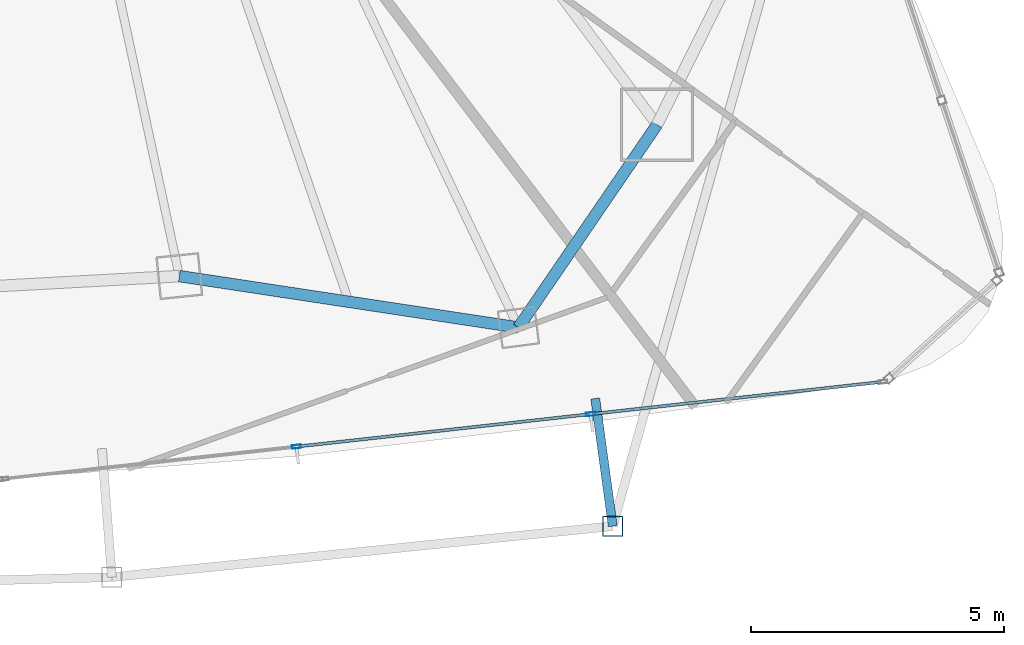
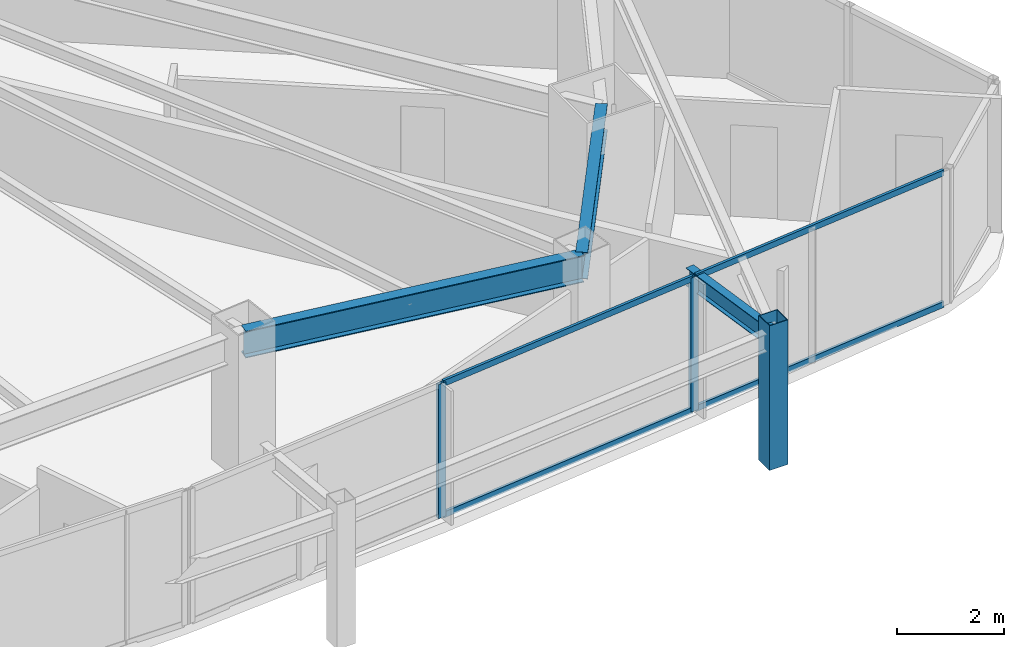
# One storey, part 12 of 30: 7 members, 3 beams, 1 element without a shape of its own.
"""IFC4 building model written with IfcOpenShell, lengths in metres."""

from ifc_helpers import new_model, si_unit, direction, frame, origin, origin_2d, place, context, subcontext, project, spatial, hollow_rectangle, i_section, extrude, material, layer, layer_set, material_profile, profile_set, type_object, element, aggregate, save


model = new_model("IFC4")

# Units and contexts
model_context = context("Model", 3, precision=1e-05, world=origin(), true_north=direction((0.0, 1.0)))
body_context = subcontext(model_context, "Body", "Model", "MODEL_VIEW")
ifc_project = project(units=[si_unit("LENGTHUNIT", "METRE"), si_unit("AREAUNIT", "SQUARE_METRE"), si_unit("VOLUMEUNIT", "CUBIC_METRE"), si_unit("PLANEANGLEUNIT", "RADIAN"), si_unit("MASSUNIT", "GRAM", prefix="KILO")], contexts=[model_context])

# Site, building, storey
site_placement = place(None, origin())
site = spatial("IfcSite", under=ifc_project, at=site_placement, CompositionType="ELEMENT")
building_placement = place(site_placement, origin())
building = spatial("IfcBuilding", under=site, at=building_placement, Name="Orvanel Arch Residences", CompositionType="ELEMENT")
storey_placement = place(building_placement, frame((0.0, 0.0, 136.39990234375)))
storey = spatial("IfcBuildingStorey", under=building, at=storey_placement, Name="L38", CompositionType="ELEMENT", Elevation=136.39990234375)

# Curtain wall, members
ifc_material_1 = material(Name="Bronze-anodised aluminium AA6063-T6", Category="aluminium")
ifc_layer = layer(ifc_material_1, 0.179931640625)
ifc_layer_set = layer_set([ifc_layer], Name="Bronze-anodised aluminium AA6063-T6")
curtain_wall_type = type_object("IfcCurtainWallType", Name="CW3-MID-SYS", PredefinedType="NOTDEFINED", material=ifc_layer_set)
curtain_wall_placement = place(storey_placement, origin())
curtain_wall = element("IfcCurtainWall", 1, at=curtain_wall_placement, inside=storey, type_object=curtain_wall_type, Name="L38 CW3-MID-SYS Unitised Curtain Wall", PredefinedType="NOTDEFINED")
ifc_material_profile_1 = material_profile(ifc_material_1, hollow_rectangle(XDim=0.070068359375, YDim=0.179931640625, WallThickness=0.00439453125, at=origin_2d()), Name="ALU180x70x4.5")
ifc_profile_set_1 = profile_set([ifc_material_profile_1], Name="Bronze-anodised aluminium AA6063-T6")
member_type_1 = type_object("IfcMemberType", Name="MUL-180x70", PredefinedType="MULLION", material=ifc_profile_set_1)
member_1_placement = place(storey_placement, frame((44.668701171875, 3.98193359375, 0.0), z_axis=(0.0, 0.0, 1.0), x_axis=(-0.109856452012, 0.993947463376, 0.0)))
member_1 = element("IfcMember", 2, at=member_1_placement, type_object=member_type_1, Name="CW-S3 mullion 2", PredefinedType="MULLION", context=body_context, shape_type="SweptSolid", body=[
    extrude(hollow_rectangle(XDim=0.070068359375, YDim=0.179931640625, WallThickness=0.00439453125, at=origin_2d()), origin(), (0.0, 0.0, 1.0), 3.06005859375),
])
member_2_placement = place(storey_placement, frame((50.486328125, 4.625, 0.0), z_axis=(0.0, 0.0, 1.0), x_axis=(-0.109856452012, 0.993947463376, 0.0)))
member_2 = element("IfcMember", 3, at=member_2_placement, type_object=member_type_1, Name="CW-S3 mullion 3", PredefinedType="MULLION", context=body_context, shape_type="SweptSolid", body=[
    extrude(hollow_rectangle(XDim=0.070068359375, YDim=0.179931640625, WallThickness=0.00439453125, at=origin_2d()), origin(), (0.0, 0.0, 1.0), 3.06005859375),
])

# Beams
ifc_material_2 = material(Name="Structural steel AS/NZS 3679.1 Grade 300 (300 MPa)", Category="steel")
ifc_material_profile_2 = material_profile(ifc_material_2, i_section(OverallWidth=0.177978515625, OverallDepth=0.406005859375, WebThickness=0.0078125, FlangeThickness=0.0126953125, at=origin_2d()), Name="410UB59.7")
ifc_profile_set_2 = profile_set([ifc_material_profile_2], Name="Structural steel AS/NZS 3679.1 Grade 300 (300 MPa)")
beam_type_1 = type_object("IfcBeamType", Name="OB-410UB-EXT", PredefinedType="SPANDREL", material=ifc_profile_set_2)
beam_1_placement = place(storey_placement, frame((50.577880859375, 4.93505859375, 2.857177734375), z_axis=(0.136151386694, -0.990688043685, 0.0), x_axis=(0.990688043685, 0.136151386694, 0.0)))
element("IfcBeam", 4, at=beam_1_placement, inside=storey, type_object=beam_type_1, Name="L38 Outer Frame Radial Tie Beam 08", PredefinedType="SPANDREL", context=body_context, shape_type="SweptSolid", body=[
    extrude(i_section(OverallWidth=0.177978515625, OverallDepth=0.406005859375, WebThickness=0.0078125, FlangeThickness=0.0126953125, at=origin_2d()), origin(), (0.0, 0.0, 1.0), 2.5498046875),
])
ifc_material_profile_3 = material_profile(ifc_material_2, i_section(OverallWidth=0.22900390625, OverallDepth=0.612060546875, WebThickness=0.011962890625, FlangeThickness=0.01953125, at=origin_2d()), Name="610UB125")
ifc_profile_set_3 = profile_set([ifc_material_profile_3], Name="Structural steel AS/NZS 3679.1 Grade 300 (300 MPa)")
beam_type_2 = type_object("IfcBeamType", Name="SP-610UB", PredefinedType="SPANDREL", material=ifc_profile_set_3)
beam_2_placement = place(storey_placement, frame((42.35107421875, 7.35498046875, 2.754150390625), z_axis=(0.988726323014, -0.149733958002, 0.0), x_axis=(0.149733958002, 0.988726323014, 0.0)))
element("IfcBeam", 5, at=beam_2_placement, inside=storey, type_object=beam_type_2, Name="L38 Perimeter Spandrel Beam 07", PredefinedType="SPANDREL", context=body_context, shape_type="SweptSolid", body=[
    extrude(i_section(OverallWidth=0.22900390625, OverallDepth=0.612060546875, WebThickness=0.011962890625, FlangeThickness=0.01953125, at=origin_2d()), origin(), (0.0, 0.0, 1.0), 6.784423828125),
])
beam_3_placement = place(storey_placement, frame((49.05908203125, 6.339111328125, 2.754150390625), z_axis=(0.564251579852, 0.825602903722, 0.0), x_axis=(-0.825602903722, 0.564251579852, 0.0)))
element("IfcBeam", 6, at=beam_3_placement, inside=storey, type_object=beam_type_2, Name="L38 Perimeter Spandrel Beam 08", PredefinedType="SPANDREL", context=body_context, shape_type="SweptSolid", body=[
    extrude(i_section(OverallWidth=0.22900390625, OverallDepth=0.612060546875, WebThickness=0.011962890625, FlangeThickness=0.01953125, at=origin_2d()), origin(), (0.0, 0.0, 1.0), 4.859375),
])

# Member
ifc_material_3 = material(Name="Structural steel AS/NZS 1163 C450L0 (Grade 450)", Category="steel")
ifc_material_profile_4 = material_profile(ifc_material_3, hollow_rectangle(XDim=0.39990234375, YDim=0.39990234375, WallThickness=0.01611328125, at=origin_2d()), Name="SHS400x400x16")
ifc_profile_set_4 = profile_set([ifc_material_profile_4], Name="Structural steel AS/NZS 1163 C450L0 (Grade 450)")
member_type_2 = type_object("IfcMemberType", Name="ST-400SHS-EXT", PredefinedType="STRUT", material=ifc_profile_set_4)
member_3_placement = place(storey_placement, frame((50.925048828125, 2.408935546875, 0.0), z_axis=(0.0, 0.0, 1.0), x_axis=(1.0, 0.0, 0.0)))
element("IfcMember", 7, at=member_3_placement, inside=storey, type_object=member_type_2, Name="L38 Outer Perimeter Frame Post 08", PredefinedType="STRUT", context=body_context, shape_type="SweptSolid", body=[
    extrude(hollow_rectangle(XDim=0.39990234375, YDim=0.39990234375, WallThickness=0.01611328125, at=origin_2d()), origin(), (0.0, 0.0, 1.0), 3.300048828125),
])

ifc_material_profile_5 = material_profile(ifc_material_1, hollow_rectangle(XDim=0.06005859375, YDim=0.135009765625, WallThickness=0.00390625, at=origin_2d()), Name="ALU135x60x4")
ifc_profile_set_5 = profile_set([ifc_material_profile_5], Name="Bronze-anodised aluminium AA6063-T6")
member_type_3 = type_object("IfcMemberType", Name="TRN-135x60", PredefinedType="USERDEFINED", material=ifc_profile_set_5)
member_4_placement = place(storey_placement, frame((44.703369140625, 3.98583984375, 0.030029296875), z_axis=(0.993948942037, 0.109843072719, 0.0), x_axis=(-0.109843072719, 0.993948942037, 0.0)))
member_4 = element("IfcMember", 8, at=member_4_placement, type_object=member_type_3, Name="CW-S3 transom 2.1", ObjectType="TRANSOM", PredefinedType="USERDEFINED", context=body_context, shape_type="SweptSolid", body=[
    extrude(hollow_rectangle(XDim=0.06005859375, YDim=0.135009765625, WallThickness=0.00390625, at=origin_2d()), origin(), (0.0, 0.0, 1.0), 5.783203125),
])

member_5_placement = place(storey_placement, frame((44.703369140625, 3.98583984375, 3.030029296875), z_axis=(0.993948942037, 0.109843072719, 0.0), x_axis=(-0.109843072719, 0.993948942037, 0.0)))
member_5 = element("IfcMember", 9, at=member_5_placement, type_object=member_type_3, Name="CW-S3 transom 2.2", ObjectType="TRANSOM", PredefinedType="USERDEFINED", context=body_context, shape_type="SweptSolid", body=[
    extrude(hollow_rectangle(XDim=0.06005859375, YDim=0.135009765625, WallThickness=0.00390625, at=origin_2d()), origin(), (0.0, 0.0, 1.0), 5.783203125),
])

member_6_placement = place(storey_placement, frame((50.521240234375, 4.62890625, 0.030029296875), z_axis=(0.993949342243, 0.109839451265, 0.0), x_axis=(-0.109839451265, 0.993949342243, 0.0)))
member_6 = element("IfcMember", 10, at=member_6_placement, type_object=member_type_3, Name="CW-S3 transom 3.1", ObjectType="TRANSOM", PredefinedType="USERDEFINED", context=body_context, shape_type="SweptSolid", body=[
    extrude(hollow_rectangle(XDim=0.06005859375, YDim=0.135009765625, WallThickness=0.00390625, at=origin_2d()), origin(), (0.0, 0.0, 1.0), 5.747802734375),
])

member_7_placement = place(storey_placement, frame((50.521240234375, 4.62890625, 3.030029296875), z_axis=(0.993949342243, 0.109839451265, 0.0), x_axis=(-0.109839451265, 0.993949342243, 0.0)))
member_7 = element("IfcMember", 11, at=member_7_placement, type_object=member_type_3, Name="CW-S3 transom 3.2", ObjectType="TRANSOM", PredefinedType="USERDEFINED", context=body_context, shape_type="SweptSolid", body=[
    extrude(hollow_rectangle(XDim=0.06005859375, YDim=0.135009765625, WallThickness=0.00390625, at=origin_2d()), origin(), (0.0, 0.0, 1.0), 5.747802734375),
])

aggregate(curtain_wall, [member_1, member_2, member_4, member_5, member_6, member_7])

save(model, "model.ifc")
